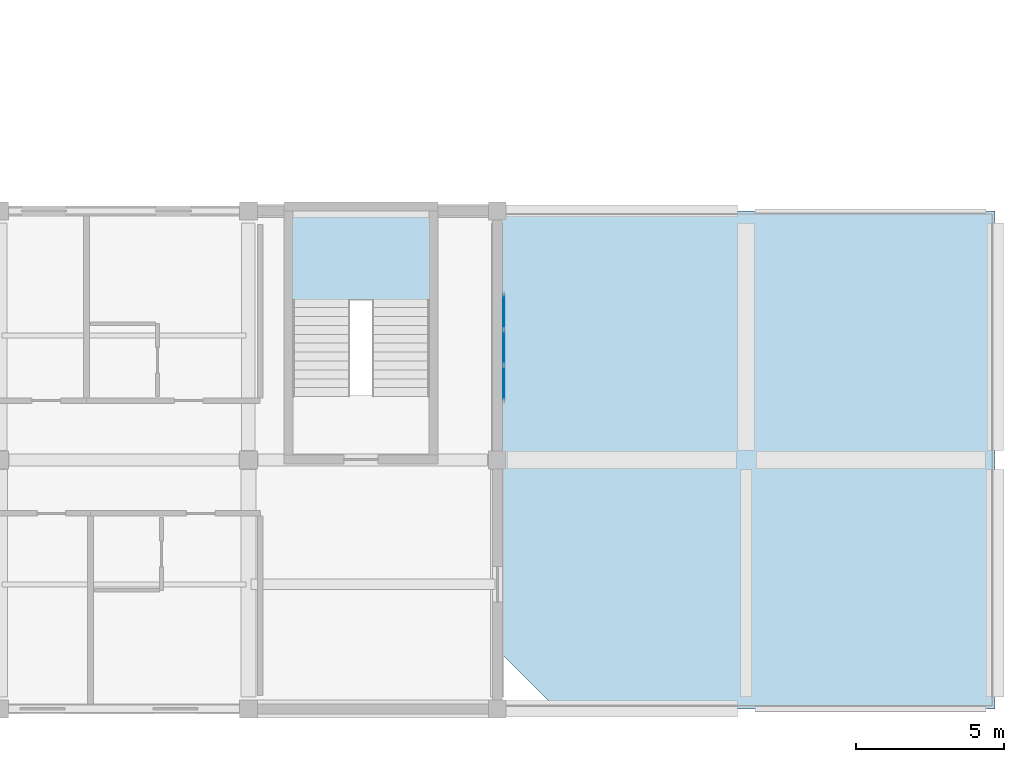
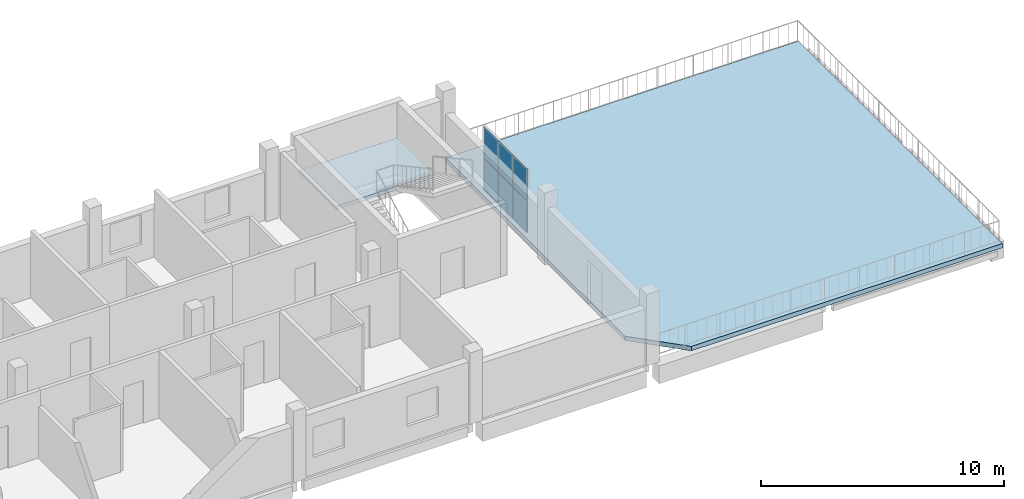
# One storey, part 10 of 25: 6 plates, 2 slabs, 2 elements without a shape of their own.
"""IFC4 building model written with IfcOpenShell, lengths in metres."""

from ifc_helpers import new_model, si_unit, derived_unit, direction, frame, origin, origin_2d, place, context, subcontext, project, spatial, polyline, rectangle, outline, extrude, material, layer, layer_set, type_object, element, aggregate, save


model = new_model("IFC4")

# Units and contexts
model_context = context("Model", 3, precision=1e-05, world=origin(), true_north=direction((0.0, 1.0)))
body_context = subcontext(model_context, "Body", "Model", "MODEL_VIEW")
ifc_project = project(units=[si_unit("LENGTHUNIT", "METRE"), si_unit("AREAUNIT", "SQUARE_METRE"), si_unit("VOLUMEUNIT", "CUBIC_METRE"), si_unit("PLANEANGLEUNIT", "RADIAN"), si_unit("MASSUNIT", "GRAM", prefix="KILO"), derived_unit("THERMALTRANSMITTANCEUNIT", [(si_unit("POWERUNIT", "WATT"), 1), (si_unit("LENGTHUNIT", "METRE"), -2), (si_unit("THERMODYNAMICTEMPERATUREUNIT", "KELVIN"), -1)])], contexts=[model_context])

# Site, building, storey
site_placement = place(None, origin())
site = spatial("IfcSite", under=ifc_project, at=site_placement, CompositionType="ELEMENT")
building_placement = place(site_placement, origin())
building = spatial("IfcBuilding", under=site, at=building_placement, Name="Barrovel Congress Hotel", CompositionType="ELEMENT")
storey_placement = place(building_placement, frame((0.0, 0.0, 25.5)))
storey = spatial("IfcBuildingStorey", under=building, at=storey_placement, Name="L06", CompositionType="ELEMENT", Elevation=25.5)

# Curtain wall, plates
ifc_material_1 = material(Name="Anodised Aluminium Alloy 6063-T6", Category="aluminium")
curtain_wall_type = type_object("IfcCurtainWallType", Name="CW-UN-3600x3200", PredefinedType="USERDEFINED", material=ifc_material_1)
curtain_wall_placement = place(storey_placement, origin())
curtain_wall = element("IfcCurtainWall", 1, at=curtain_wall_placement, inside=storey, type_object=curtain_wall_type, Name="CW:L06:UN-1", ObjectType="UNITISED CURTAIN WALL", PredefinedType="USERDEFINED")
ifc_material_2 = material(Name="Double Low-E Insulated Glazing", Category="glass")
ifc_layer_1 = layer(ifc_material_2, 0.031982421875)
ifc_layer_set_1 = layer_set([ifc_layer_1], Name="Double Low-E Insulated Glazing")
plate_type = type_object("IfcPlateType", Name="CWP-32", PredefinedType="CURTAIN_PANEL", material=ifc_layer_set_1)
plate_1_placement = place(storey_placement, frame((151.419921875, 15.199951171875, 0.030029296875), z_axis=(0.0, 0.0, 1.0), x_axis=(0.0, 1.0, 0.0)))
plate_1 = element("IfcPlate", 2, at=plate_1_placement, type_object=plate_type, Name="CW:L06:UN-1:P0-0", PredefinedType="CURTAIN_PANEL", context=body_context, shape_type="SweptSolid", body=[
    extrude(rectangle(XDim=1.139892578125, YDim=0.031982421875, at=origin_2d()), origin(), (0.0, 0.0, 1.0), 1.56494140625),
])
plate_2_placement = place(storey_placement, frame((151.419921875, 15.199951171875, 1.655029296875), z_axis=(0.0, 0.0, 1.0), x_axis=(0.0, 1.0, 0.0)))
plate_2 = element("IfcPlate", 3, at=plate_2_placement, type_object=plate_type, Name="CW:L06:UN-1:P0-1", PredefinedType="CURTAIN_PANEL", context=body_context, shape_type="SweptSolid", body=[
    extrude(rectangle(XDim=1.139892578125, YDim=0.031982421875, at=origin_2d()), origin(), (0.0, 0.0, 1.0), 1.56494140625),
])
plate_3_placement = place(storey_placement, frame((151.419921875, 16.39990234375, 0.030029296875), z_axis=(0.0, 0.0, 1.0), x_axis=(0.0, 1.0, 0.0)))
plate_3 = element("IfcPlate", 4, at=plate_3_placement, type_object=plate_type, Name="CW:L06:UN-1:P1-0", PredefinedType="CURTAIN_PANEL", context=body_context, shape_type="SweptSolid", body=[
    extrude(rectangle(XDim=1.139892578125, YDim=0.031982421875, at=origin_2d()), origin(), (0.0, 0.0, 1.0), 1.56494140625),
])
plate_4_placement = place(storey_placement, frame((151.419921875, 16.39990234375, 1.655029296875), z_axis=(0.0, 0.0, 1.0), x_axis=(0.0, 1.0, 0.0)))
plate_4 = element("IfcPlate", 5, at=plate_4_placement, type_object=plate_type, Name="CW:L06:UN-1:P1-1", PredefinedType="CURTAIN_PANEL", context=body_context, shape_type="SweptSolid", body=[
    extrude(rectangle(XDim=1.139892578125, YDim=0.031982421875, at=origin_2d()), origin(), (0.0, 0.0, 1.0), 1.56494140625),
])
plate_5_placement = place(storey_placement, frame((151.419921875, 17.60009765625, 0.030029296875), z_axis=(0.0, 0.0, 1.0), x_axis=(0.0, 1.0, 0.0)))
plate_5 = element("IfcPlate", 6, at=plate_5_placement, type_object=plate_type, Name="CW:L06:UN-1:P2-0", PredefinedType="CURTAIN_PANEL", context=body_context, shape_type="SweptSolid", body=[
    extrude(rectangle(XDim=1.139892578125, YDim=0.031982421875, at=origin_2d()), origin(), (0.0, 0.0, 1.0), 1.56494140625),
])
plate_6_placement = place(storey_placement, frame((151.419921875, 17.60009765625, 1.655029296875), z_axis=(0.0, 0.0, 1.0), x_axis=(0.0, 1.0, 0.0)))
plate_6 = element("IfcPlate", 7, at=plate_6_placement, type_object=plate_type, Name="CW:L06:UN-1:P2-1", PredefinedType="CURTAIN_PANEL", context=body_context, shape_type="SweptSolid", body=[
    extrude(rectangle(XDim=1.139892578125, YDim=0.031982421875, at=origin_2d()), origin(), (0.0, 0.0, 1.0), 1.56494140625),
])
aggregate(curtain_wall, [plate_1, plate_2, plate_3, plate_4, plate_5, plate_6])

# Slab
ifc_material_3 = material(Name="Concrete C35", Category="concrete")
ifc_layer_2 = layer(ifc_material_3, 0.219970703125)
ifc_layer_set_2 = layer_set([ifc_layer_2], Name="Concrete C35")
slab_type_1 = type_object("IfcSlabType", Name="SL-F220", PredefinedType="FLOOR", material=ifc_layer_set_2)
slab_1_placement = place(storey_placement, frame((0.0, 0.0, -0.219970703125)))
element("IfcSlab", 8, at=slab_1_placement, inside=storey, type_object=slab_type_1, Name="SLAB:L06:TERR-E", PredefinedType="FLOOR", context=body_context, shape_type="SweptSolid", body=[
    extrude(outline(polyline([(153.199951171875, 4.199951171875), (168.0, 4.199951171875), (168.0, 21.0), (151.199951171875, 21.0), (151.199951171875, 6.199951171875), (153.199951171875, 4.199951171875)])), origin(), (0.0, 0.0, 1.0), 0.219970703125),
])

# Stair, slab
ifc_material_4 = material(Name="Concrete C40", Category="concrete")
stair_type = type_object("IfcStairType", Name="STR-HT-360", PredefinedType="HALF_TURN_STAIR", material=ifc_material_4)
stair_placement = place(storey_placement, origin())
stair = element("IfcStair", 9, at=stair_placement, inside=storey, type_object=stair_type, Name="Exit Stair XS-04 (L06)", PredefinedType="HALF_TURN_STAIR")
ifc_layer_3 = layer(ifc_material_4, 0.18994140625)
ifc_layer_set_3 = layer_set([ifc_layer_3], Name="Concrete C40")
slab_type_2 = type_object("IfcSlabType", Name="SL-LDG-190", PredefinedType="LANDING", material=ifc_layer_set_3)
slab_2_placement = place(storey_placement, frame((0.0, 0.0, 1.610107421875)))
slab_2 = element("IfcSlab", 10, at=slab_2_placement, type_object=slab_type_2, Name="STAIR:XS-04:L06:LDG", PredefinedType="LANDING", context=body_context, shape_type="SweptSolid", body=[
    extrude(outline(polyline([(144.280029296875, 18.010009765625), (148.919921875, 18.010009765625), (148.919921875, 21.02001953125), (144.280029296875, 21.02001953125), (144.280029296875, 18.010009765625)])), origin(), (0.0, 0.0, 1.0), 0.18994140625),
])
aggregate(stair, [slab_2])

save(model, "model.ifc")
